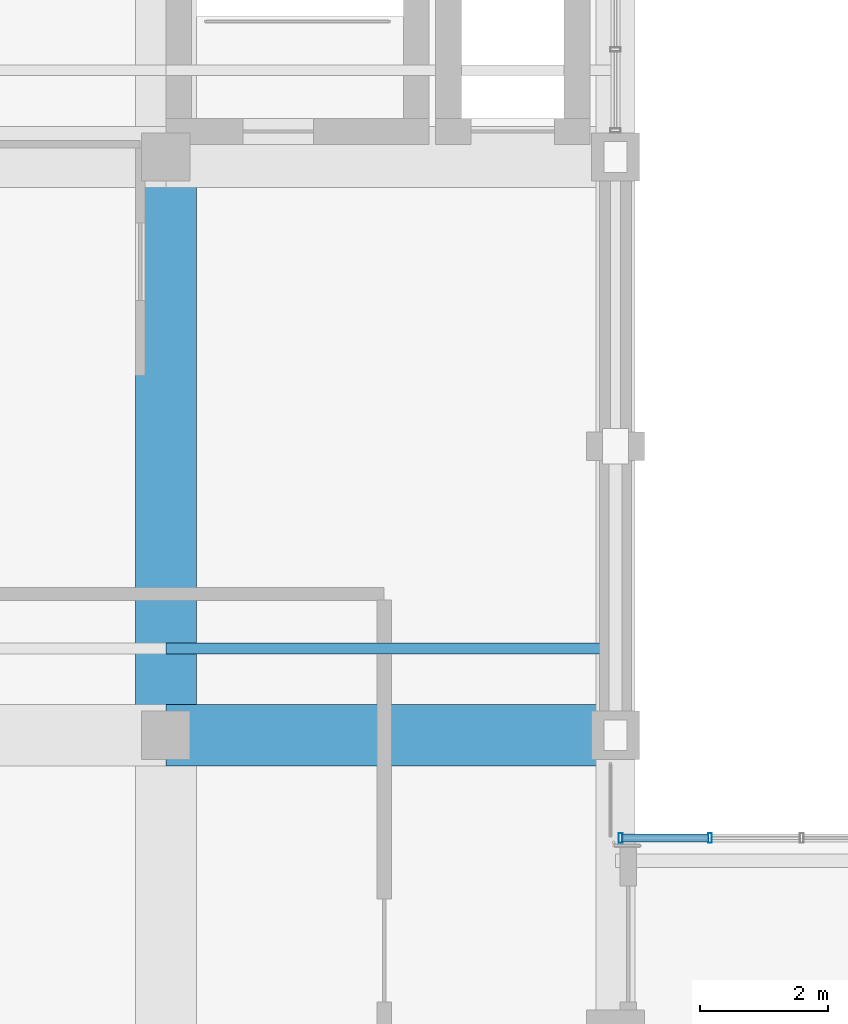
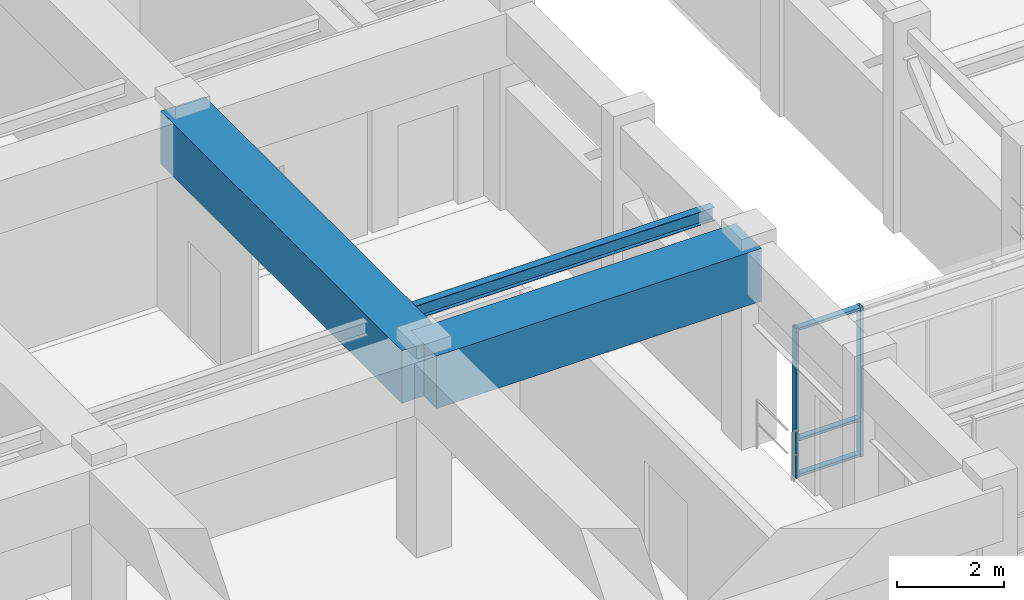
# One storey, part 54 of 99: 6 members, 2 beams, 1 element without a shape of its own.
"""IFC4 building model written with IfcOpenShell, lengths in metres."""

from ifc_helpers import new_model, si_unit, direction, frame, origin, origin_2d, place, context, subcontext, project, spatial, rectangle, hollow_rectangle, i_section, extrude, material, layer, layer_set, material_profile, profile_set, type_object, element, aggregate, save


model = new_model("IFC4")

# Units and contexts
model_context = context("Model", 3, precision=1e-05, world=origin(), true_north=direction((0.0, 1.0)))
body_context = subcontext(model_context, "Body", "Model", "MODEL_VIEW")
ifc_project = project(units=[si_unit("LENGTHUNIT", "METRE"), si_unit("AREAUNIT", "SQUARE_METRE"), si_unit("VOLUMEUNIT", "CUBIC_METRE"), si_unit("PLANEANGLEUNIT", "RADIAN"), si_unit("MASSUNIT", "GRAM", prefix="KILO")], contexts=[model_context])

# Site, building, storey
site_placement = place(None, origin())
site = spatial("IfcSite", under=ifc_project, at=site_placement, CompositionType="ELEMENT")
building_placement = place(site_placement, origin())
building = spatial("IfcBuilding", under=site, at=building_placement, Name="Ventoquebrada Cableway Terminal", CompositionType="ELEMENT")
storey_placement = place(building_placement, frame((0.0, 0.0, 9.60009765625)))
storey = spatial("IfcBuildingStorey", under=building, at=storey_placement, Name="L02", CompositionType="ELEMENT", Elevation=9.60009765625)

# Beams
ifc_material_1 = material(Name="Concrete C40/50", Category="concrete")
ifc_material_profile_1 = material_profile(ifc_material_1, rectangle(XDim=0.949951171875, YDim=1.199951171875, at=origin_2d()), Name="RC-BM-950X1200")
ifc_profile_set_1 = profile_set([ifc_material_profile_1], Name="Concrete C40/50")
beam_type = type_object("IfcBeamType", Name="BM-RC06", PredefinedType="BEAM", material=ifc_profile_set_1)
beam_1_placement = place(storey_placement, frame((116.0, 86.0, 3.929931640625), z_axis=(1.0, 0.0, 0.0), x_axis=(0.0, 1.0, 0.0)))
element("IfcBeam", 1, at=beam_1_placement, inside=storey, type_object=beam_type, Name="Primary frame girder FBM-0671", PredefinedType="BEAM", context=body_context, shape_type="SweptSolid", body=[
    extrude(rectangle(XDim=0.949951171875, YDim=1.199951171875, at=origin_2d()), origin(), (0.0, 0.0, 1.0), 7.0),
])
beam_2_placement = place(storey_placement, frame((116.0, 86.0, 3.929931640625), z_axis=(0.0, 1.0, 0.0), x_axis=(-1.0, 0.0, 0.0)))
element("IfcBeam", 2, at=beam_2_placement, inside=storey, type_object=beam_type, Name="Primary frame girder FBM-0693", PredefinedType="BEAM", context=body_context, shape_type="SweptSolid", body=[
    extrude(rectangle(XDim=0.949951171875, YDim=1.199951171875, at=origin_2d()), origin(), (0.0, 0.0, 1.0), 9.0),
])

# Curtain wall, members
ifc_material_2 = material(Name="Anodized thermally-broken aluminium", Category="aluminium")
ifc_layer = layer(ifc_material_2, 0.159912109375)
ifc_layer_set = layer_set([ifc_layer], Name="Anodized thermally-broken aluminium")
curtain_wall_type = type_object("IfcCurtainWallType", Name="CW-T56", PredefinedType="USERDEFINED", material=ifc_layer_set)
curtain_wall_placement = place(storey_placement, origin())
curtain_wall = element("IfcCurtainWall", 3, at=curtain_wall_placement, inside=storey, type_object=curtain_wall_type, Name="Unitised glazed curtain wall CW-176", ObjectType="UNITISED CURTAIN WALL", PredefinedType="USERDEFINED")
ifc_material_profile_2 = material_profile(ifc_material_2, hollow_rectangle(XDim=0.06005859375, YDim=0.14990234375, WallThickness=0.00390625, at=origin_2d()), Name="CW-MUL-60X150")
ifc_profile_set_2 = profile_set([ifc_material_profile_2], Name="Anodized thermally-broken aluminium")
member_type_1 = type_object("IfcMemberType", Name="CWM-03", PredefinedType="MULLION", material=ifc_profile_set_2)
member_1_placement = place(storey_placement, frame((124.471923828125, 84.39990234375, -0.008056640625), z_axis=(0.0, 0.0, 1.0), x_axis=(-1.0, 0.0, 0.0)))
member_1 = element("IfcMember", 4, at=member_1_placement, type_object=member_type_1, Name="Curtain wall mullion FML-0885", PredefinedType="MULLION", context=body_context, shape_type="SweptSolid", body=[
    extrude(hollow_rectangle(XDim=0.06005859375, YDim=0.14990234375, WallThickness=0.00390625, at=origin_2d()), origin(), (0.0, 0.0, 1.0), 3.412841796875),
])
member_2_placement = place(storey_placement, frame((123.080078125, 84.39990234375, -0.008056640625), z_axis=(0.0, 0.0, 1.0), x_axis=(-1.0, 0.0, 0.0)))
member_2 = element("IfcMember", 5, at=member_2_placement, type_object=member_type_1, Name="Curtain wall mullion FML-0886", PredefinedType="MULLION", context=body_context, shape_type="SweptSolid", body=[
    extrude(hollow_rectangle(XDim=0.06005859375, YDim=0.14990234375, WallThickness=0.00390625, at=origin_2d()), origin(), (0.0, 0.0, 1.0), 3.412841796875),
])
ifc_material_profile_3 = material_profile(ifc_material_2, hollow_rectangle(XDim=0.06005859375, YDim=0.1298828125, WallThickness=0.00390625, at=origin_2d()), Name="CW-TRN-60X130")
ifc_profile_set_3 = profile_set([ifc_material_profile_3], Name="Anodized thermally-broken aluminium")
member_type_2 = type_object("IfcMemberType", Name="CWT-02", PredefinedType="USERDEFINED", material=ifc_profile_set_3)
member_3_placement = place(storey_placement, frame((124.447998046875, 84.39990234375, 0.034912109375), z_axis=(-1.0, 0.0, 0.0), x_axis=(0.0, 0.0, 1.0)))
member_3 = element("IfcMember", 6, at=member_3_placement, type_object=member_type_2, Name="Curtain wall transom FTR-2576", ObjectType="TRANSOM", PredefinedType="USERDEFINED", context=body_context, shape_type="SweptSolid", body=[
    extrude(hollow_rectangle(XDim=0.06005859375, YDim=0.1298828125, WallThickness=0.00390625, at=origin_2d()), origin(), (0.0, 0.0, 1.0), 1.343017578125),
])
member_4_placement = place(storey_placement, frame((124.447998046875, 84.39990234375, 0.849853515625), z_axis=(-1.0, 0.0, 0.0), x_axis=(0.0, 0.0, 1.0)))
member_4 = element("IfcMember", 7, at=member_4_placement, type_object=member_type_2, Name="Curtain wall transom FTR-2577", ObjectType="TRANSOM", PredefinedType="USERDEFINED", context=body_context, shape_type="SweptSolid", body=[
    extrude(hollow_rectangle(XDim=0.06005859375, YDim=0.1298828125, WallThickness=0.00390625, at=origin_2d()), origin(), (0.0, 0.0, 1.0), 1.343017578125),
])
member_5_placement = place(storey_placement, frame((124.447998046875, 84.39990234375, 3.364990234375), z_axis=(-1.0, 0.0, 0.0), x_axis=(0.0, 0.0, 1.0)))
member_5 = element("IfcMember", 8, at=member_5_placement, type_object=member_type_2, Name="Curtain wall transom FTR-2578", ObjectType="TRANSOM", PredefinedType="USERDEFINED", context=body_context, shape_type="SweptSolid", body=[
    extrude(hollow_rectangle(XDim=0.06005859375, YDim=0.1298828125, WallThickness=0.00390625, at=origin_2d()), origin(), (0.0, 0.0, 1.0), 1.343017578125),
])
aggregate(curtain_wall, [member_1, member_2, member_3, member_4, member_5])

# Member
ifc_material_3 = material(Name="Steel ASTM A992 Grade 50", Category="steel")
ifc_material_profile_4 = material_profile(ifc_material_3, i_section(OverallWidth=0.1650390625, OverallDepth=0.31005859375, WebThickness=0.005859375, FlangeThickness=0.009765625, at=origin_2d()), Name="W12X26")
ifc_profile_set_4 = profile_set([ifc_material_profile_4], Name="Steel ASTM A992 Grade 50")
member_type_3 = type_object("IfcMemberType", Name="PUR-RF05", PredefinedType="PURLIN", material=ifc_profile_set_4)
member_6_placement = place(storey_placement, frame((116.0, 87.35009765625, 4.260009765625), z_axis=(1.0, 0.0, 0.0), x_axis=(0.0, 1.0, 0.0)))
element("IfcMember", 9, at=member_6_placement, inside=storey, type_object=member_type_3, Name="Roof support purlin RPR-0500", PredefinedType="PURLIN", context=body_context, shape_type="SweptSolid", body=[
    extrude(i_section(OverallWidth=0.1650390625, OverallDepth=0.31005859375, WebThickness=0.005859375, FlangeThickness=0.009765625, at=origin_2d()), origin(), (0.0, 0.0, 1.0), 7.0),
])

save(model, "model.ifc")
